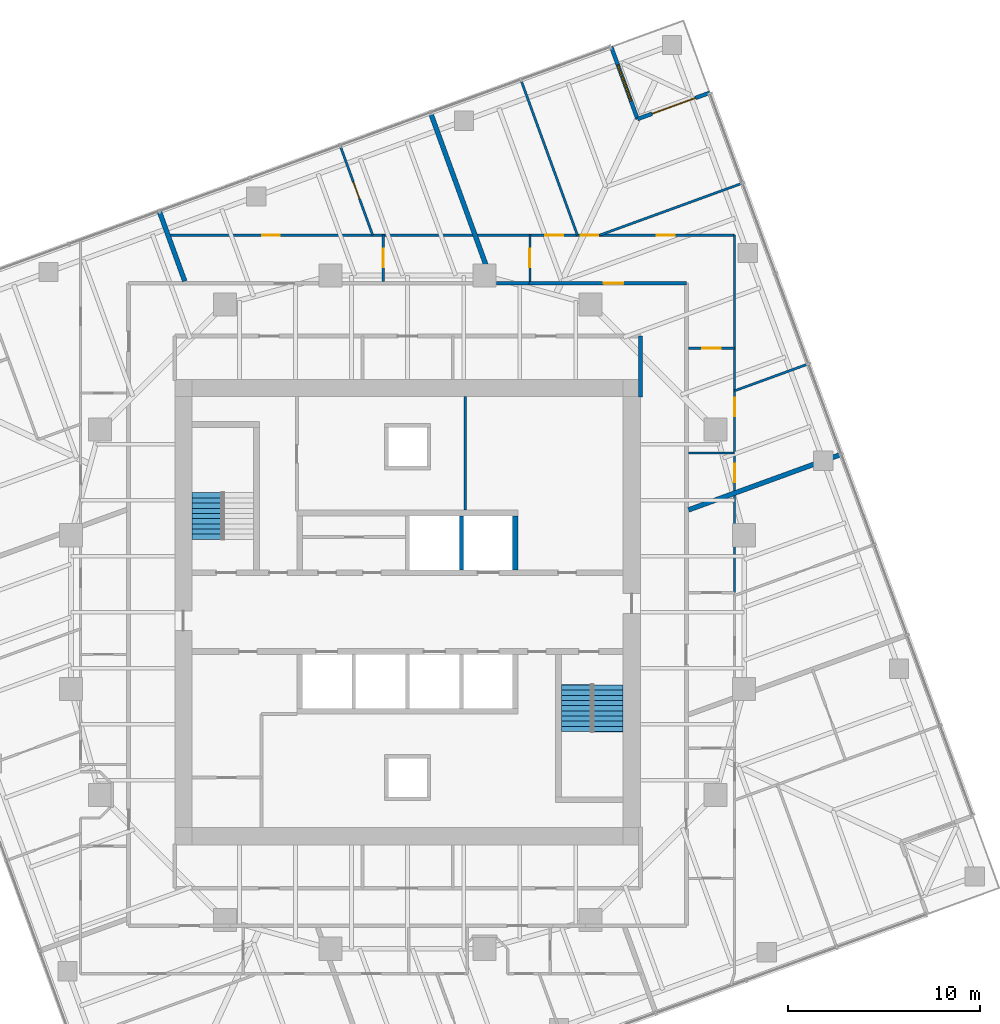
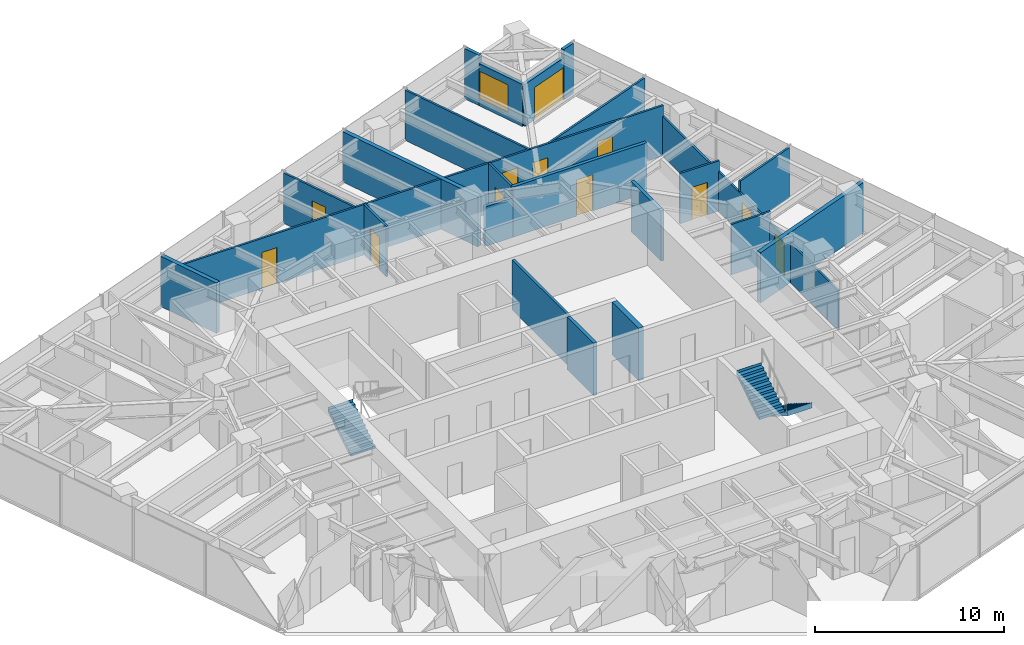
# One storey, part 11 of 13: 23 walls, 12 doors, 3 stair flights, 1 window, 13 openings, 2 elements without a shape of their own.
"""IFC4 building model written with IfcOpenShell, lengths in metres."""

import ifcopenshell
import ifcopenshell.guid

model = None  # the IFC model being written
_history = None  # IfcOwnerHistory: only IFC2X3 demands one
_inside = {}  # id of a spatial element -> (the spatial element, [elements in it])
_under = {}  # id of a project, library or spatial element -> (it, [spatial elements below it])
_declared = {}  # id of a project -> (the project, [libraries it declares])
_typed = {}  # id of a type object -> (the type object, [elements of that type])
_made_of = {}  # id of a material, layer set ... -> (it, [elements and type objects made of it])


def new_model(schema):
    """Start an empty IFC model of exactly this schema.

    Asked for "IFC4X3", IfcOpenShell would pick the latest addendum, in which some entities
    have other attributes; the version numbers below select the first issue.
    IFC2X3 requires an IfcOwnerHistory on every rooted entity: one is made here for all.
    """
    global model, _history
    if schema == "IFC4X3":
        model = ifcopenshell.file(schema_version=(4, 3, 0, 0))
    else:
        model = ifcopenshell.file(schema=schema)
    _inside.clear()
    _under.clear()
    _declared.clear()
    _typed.clear()
    _made_of.clear()
    _history = None
    if model.schema == "IFC2X3":
        org = make("IfcOrganization", Name="unknown")
        user = make(
            "IfcPersonAndOrganization",
            ThePerson=make("IfcPerson", FamilyName="unknown"),
            TheOrganization=org,
        )
        app = make(
            "IfcApplication",
            ApplicationDeveloper=org,
            Version="unknown",
            ApplicationFullName="unknown",
            ApplicationIdentifier="unknown",
        )
        _history = make(
            "IfcOwnerHistory",
            OwningUser=user,
            OwningApplication=app,
            ChangeAction="ADDED",
            CreationDate=0,
        )
    return model


def make(cls, **values):
    """One entity of the class cls with the attributes given. An attribute that is None is left unset."""
    return model.create_entity(
        cls, **{name: value for name, value in values.items() if value is not None}
    )


def rooted(cls, **values):
    """An entity with a GlobalId (a new one), such as an element, a storey or a relation."""
    return make(cls, GlobalId=ifcopenshell.guid.new(), OwnerHistory=_history, **values)


def si_unit(unit_type, name, prefix=None):
    """IfcSIUnit, for example si_unit("LENGTHUNIT", "METRE", prefix="MILLI")."""
    return make("IfcSIUnit", UnitType=unit_type, Prefix=prefix, Name=name)


def assignment(units):
    """IfcUnitAssignment: the units of a project."""
    return None if units is None else make("IfcUnitAssignment", Units=units)


def point(xyz):
    """IfcCartesianPoint."""
    return None if xyz is None else make("IfcCartesianPoint", Coordinates=xyz)


def direction(xyz):
    """IfcDirection."""
    return None if xyz is None else make("IfcDirection", DirectionRatios=xyz)


def frame(location, z_axis=None, x_axis=None):
    """IfcAxis2Placement3D, a coordinate frame: its origin and axes. An axis left out is left unset."""
    return make(
        "IfcAxis2Placement3D",
        Location=point(location),
        Axis=direction(z_axis),
        RefDirection=direction(x_axis),
    )


def frame_2d(location, x_axis=None):
    """IfcAxis2Placement2D, a coordinate frame in the plane: its origin and x axis."""
    return make(
        "IfcAxis2Placement2D", Location=point(location), RefDirection=direction(x_axis)
    )


def origin():
    """The frame at (0, 0, 0) with its axes left unset."""
    return frame((0.0, 0.0, 0.0))


def place(relative_to, where):
    """IfcLocalPlacement: puts the frame where relative to a parent placement (None: the world)."""
    return make(
        "IfcLocalPlacement", PlacementRelTo=relative_to, RelativePlacement=where
    )


def context(
    kind, dimensions, precision=None, world=None, true_north=None, identifier=None
):
    """IfcGeometricRepresentationContext, for example the 3D "Model" context."""
    return make(
        "IfcGeometricRepresentationContext",
        ContextIdentifier=identifier,
        ContextType=kind,
        CoordinateSpaceDimension=dimensions,
        Precision=precision,
        WorldCoordinateSystem=world,
        TrueNorth=true_north,
    )


def subcontext(parent, identifier, kind, view, scale=None):
    """IfcGeometricRepresentationSubContext, for example "Body" below "Model"."""
    return make(
        "IfcGeometricRepresentationSubContext",
        ContextIdentifier=identifier,
        ContextType=kind,
        ParentContext=parent,
        TargetScale=scale,
        TargetView=view,
    )


def project(units=None, contexts=None):
    """IfcProject with its units and contexts."""
    return rooted(
        "IfcProject",
        Name="project",
        RepresentationContexts=contexts,
        UnitsInContext=assignment(units),
    )


def spatial(cls, under=None, at=None, **own):
    """A site, building, storey or space (cls), placed at a placement, below another one or the project."""
    s = rooted(cls, ObjectPlacement=at, **own)
    if under is not None:
        _under.setdefault(under.id(), (under, []))[1].append(s)
    return s


def polyline(points):
    """IfcPolyline through the points."""
    return make("IfcPolyline", Points=[point(p) for p in points])


def profile(cls, at=None, kind="AREA", **sizes):
    """A parametric profile (cls). Its sizes go by their IFC names, for example OverallWidth=200.0."""
    return make(cls, ProfileType=kind, Position=at, **sizes)


def rectangle(**sizes):
    """IfcRectangleProfileDef."""
    return profile("IfcRectangleProfileDef", **sizes)


def outline(outer, holes=None, kind="AREA"):
    """IfcArbitraryClosedProfileDef: a profile drawn as a closed curve; with holes, ...WithVoids."""
    if holes is None:
        return make("IfcArbitraryClosedProfileDef", ProfileType=kind, OuterCurve=outer)
    return make(
        "IfcArbitraryProfileDefWithVoids",
        ProfileType=kind,
        OuterCurve=outer,
        InnerCurves=holes,
    )


def extrude(swept, where, along, depth):
    """IfcExtrudedAreaSolid: the profile swept, set in the frame where, extruded along a direction by depth."""
    return make(
        "IfcExtrudedAreaSolid",
        SweptArea=swept,
        Position=where,
        ExtrudedDirection=direction(along),
        Depth=depth,
    )


def shape(context_of_items, identifier, shape_type, items):
    """IfcShapeRepresentation: the items that make up one representation, for example the "Body"."""
    return make(
        "IfcShapeRepresentation",
        ContextOfItems=context_of_items,
        RepresentationIdentifier=identifier,
        RepresentationType=shape_type,
        Items=items,
    )


def material(Name=None, Category=None):
    """IfcMaterial."""
    return make("IfcMaterial", Name=Name, Category=Category)


def layer(
    of_material, thickness, ventilated=None, Name=None, Category=None, Priority=None
):
    """IfcMaterialLayer: one layer of a wall or slab, of a material (None: an air gap)."""
    return make(
        "IfcMaterialLayer",
        Material=of_material,
        LayerThickness=thickness,
        IsVentilated=ventilated,
        Name=Name,
        Category=Category,
        Priority=Priority,
    )


def layer_set(layers, Name=None):
    """IfcMaterialLayerSet."""
    return make("IfcMaterialLayerSet", MaterialLayers=layers, LayerSetName=Name)


def made_of(thing, what):
    """Note that an element or type object is made of a material, layer set ...; save() writes the relation."""
    if what is not None:
        _made_of.setdefault(what.id(), (what, []))[1].append(thing)
    return thing


def type_object(cls, material=None, **own):
    """A type object (cls), such as IfcWallType, which elements share."""
    return made_of(rooted(cls, **own), material)


def element(
    cls,
    number,
    at=None,
    inside=None,
    cuts=None,
    type_object=None,
    material=None,
    context=None,
    identifier="Body",
    shape_type=None,
    held_by="IfcProductDefinitionShape",
    body=None,
    shapes=None,
    **own,
):
    """One element of the class cls, such as IfcWall. Its Tag is "e" and its number.

    at: its placement. inside: the storey or other place that contains it. cuts: it is an
    opening in that element (IfcRelVoidsElement). A single representation is given by context,
    identifier, shape_type and body (its items); several are given by shapes. held_by: the class
    of the entity that holds the representations. save() writes the other relations.
    """
    e = rooted(cls, Tag="e%d" % number, ObjectPlacement=at, **own)
    if body is not None:
        shapes = [shape(context, identifier, shape_type, body)]
    if shapes is not None:
        e.Representation = make(held_by, Representations=shapes)
    if inside is not None:
        _inside.setdefault(inside.id(), (inside, []))[1].append(e)
    if cuts is not None:
        rooted(
            "IfcRelVoidsElement", RelatingBuildingElement=cuts, RelatedOpeningElement=e
        )
    if type_object is not None:
        _typed.setdefault(type_object.id(), (type_object, []))[1].append(e)
    return made_of(e, material)


def fill(opening, filler):
    """IfcRelFillsElement: the door or window that sits in an opening."""
    return rooted(
        "IfcRelFillsElement",
        RelatingOpeningElement=opening,
        RelatedBuildingElement=filler,
    )


def aggregate(whole, parts):
    """IfcRelAggregates: a whole, such as a stair, and the parts it consists of."""
    return rooted("IfcRelAggregates", RelatingObject=whole, RelatedObjects=parts)


def save(model, path):
    """Write the relations noted so far, then the file.

    IfcRelAggregates (storeys below a building ...), IfcRelContainedInSpatialStructure (elements
    in a storey), IfcRelDefinesByType, IfcRelAssociatesMaterial and IfcRelDeclares: one each for
    every whole, place, type object, material and project.
    """
    for whole, parts in _under.values():
        aggregate(whole, parts)
    for where, things in _inside.values():
        rooted(
            "IfcRelContainedInSpatialStructure",
            RelatedElements=things,
            RelatingStructure=where,
        )
    for kind, things in _typed.values():
        rooted("IfcRelDefinesByType", RelatedObjects=things, RelatingType=kind)
    for what, things in _made_of.values():
        rooted("IfcRelAssociatesMaterial", RelatedObjects=things, RelatingMaterial=what)
    for by, libraries in _declared.values():
        rooted("IfcRelDeclares", RelatingContext=by, RelatedDefinitions=libraries)
    model.write(path)


model = new_model("IFC4")

# Units and contexts
model_context = context("Model", 3, precision=1e-05, world=origin(), true_north=direction((0.0, 1.0)))
body_context = subcontext(model_context, "Body", "Model", "MODEL_VIEW")
ifc_project = project(units=[si_unit("LENGTHUNIT", "METRE"), si_unit("AREAUNIT", "SQUARE_METRE"), si_unit("VOLUMEUNIT", "CUBIC_METRE"), si_unit("PLANEANGLEUNIT", "RADIAN"), si_unit("MASSUNIT", "GRAM", prefix="KILO")], contexts=[model_context])

# Site, building, storey
site_placement = place(None, origin())
site = spatial("IfcSite", under=ifc_project, at=site_placement, CompositionType="ELEMENT")
building_placement = place(site_placement, origin())
building = spatial("IfcBuilding", under=site, at=building_placement, Name="Torsade Residences", CompositionType="ELEMENT")
storey_placement = place(building_placement, frame((0.0, 0.0, 154.0)))
storey = spatial("IfcBuildingStorey", under=building, at=storey_placement, Name="L42", CompositionType="ELEMENT", Elevation=154.0)

# Wall
ifc_material_1 = material(Name="Concrete 80 MPa", Category="concrete")
ifc_layer_1 = layer(ifc_material_1, 0.300048828125)
ifc_layer_set_1 = layer_set([ifc_layer_1], Name="Concrete 80 MPa")
wall_type_1 = type_object("IfcWallType", Name="CORE INTERNAL WALL 300", PredefinedType="SHEAR", material=ifc_layer_set_1)
wall_1_placement = place(storey_placement, frame((45.60009765625, 32.199951171875, 0.0), z_axis=(0.0, 0.0, 1.0), x_axis=(0.0, 1.0, 0.0)))
element("IfcWall", 1, at=wall_1_placement, inside=storey, type_object=wall_type_1, Name="Core wall DN4 L42", PredefinedType="SHEAR", context=body_context, shape_type="SweptSolid", body=[
    extrude(rectangle(XDim=2.800048828125, YDim=0.300048828125, at=frame_2d((1.39990234375, 0.0))), origin(), (0.0, 0.0, 1.0), 3.39990234375),
])

# Wall, opening, door
ifc_material_2 = material(Name="Plasterboard on steel stud", Category="steel")
ifc_layer_2 = layer(ifc_material_2, 0.199951171875)
ifc_layer_set_2 = layer_set([ifc_layer_2], Name="Plasterboard on steel stud")
wall_type_2 = type_object("IfcWallType", Name="CORRIDOR WALL 200", PredefinedType="PARTITIONING", material=ifc_layer_set_2)
wall_2_placement = place(storey_placement, frame((54.5, 47.10009765625, 0.0), z_axis=(0.0, 0.0, 1.0), x_axis=(-1.0, 0.0, 0.0)))
wall_2 = element("IfcWall", 2, at=wall_2_placement, inside=storey, type_object=wall_type_2, Name="Corridor wall L42", PredefinedType="PARTITIONING", context=body_context, shape_type="SweptSolid", body=[
    extrude(rectangle(XDim=8.191650390625, YDim=0.199951171875, at=frame_2d((4.095703125, 0.0))), origin(), (0.0, 0.0, 1.0), 3.25),
])
opening_1_placement = place(wall_2_placement, frame((3.28466796875, 0.0, 0.0)))
opening_1 = element("IfcOpeningElement", 3, at=opening_1_placement, cuts=wall_2, Name="Opening D01", PredefinedType="OPENING", context=body_context, shape_type="SweptSolid", body=[
    extrude(rectangle(XDim=1.02001953125, YDim=2.340087890625, at=frame_2d((0.510009765625, 1.169921875))), frame((0.0, 0.10986328125, 0.0), z_axis=(0.0, -1.0, 0.0), x_axis=(1.0, 0.0, 0.0)), (0.0, 0.0, 1.0), 0.219970703125),
])
ifc_material_3 = material(Name="Solid-core timber fire door", Category="wood")
door_type_1 = type_object("IfcDoorType", Name="APARTMENT ENTRY DOOR 1020x2340", OperationType="NOTDEFINED", PredefinedType="DOOR", material=ifc_material_3)
door_1_placement = place(opening_1_placement, origin())
door_1 = element("IfcDoor", 4, at=door_1_placement, inside=storey, type_object=door_type_1, Name="Door Residential corridor to Kitchen and dining", OperationType="SINGLE_SWING_RIGHT", OverallHeight=2.340087890625, OverallWidth=1.02001953125, PredefinedType="DOOR", context=body_context, shape_type="SweptSolid", body=[
    extrude(rectangle(XDim=1.02001953125, YDim=2.340087890625, at=frame_2d((0.510009765625, 1.169921875))), frame((0.0, 0.02490234375, 0.0), z_axis=(0.0, -1.0, 0.0), x_axis=(1.0, 0.0, 0.0)), (0.0, 0.0, 1.0), 0.050048828125),
])
fill(opening_1, door_1)

# Walls
wall_3_placement = place(storey_placement, frame((46.308349609375, 47.10009765625, 0.0), z_axis=(0.0, 0.0, 1.0), x_axis=(-1.0, 0.0, 0.0)))
element("IfcWall", 5, at=wall_3_placement, inside=storey, type_object=wall_type_2, Name="Corridor wall L42", PredefinedType="PARTITIONING", context=body_context, shape_type="SweptSolid", body=[
    extrude(rectangle(XDim=1.683349609375, YDim=0.199951171875, at=frame_2d((0.841796875, 0.0))), origin(), (0.0, 0.0, 1.0), 2.550048828125),
])
wall_4_placement = place(storey_placement, frame((52.10009765625, 41.179931640625, 0.0), z_axis=(0.0, 0.0, 1.0), x_axis=(0.0, 1.0, 0.0)))
element("IfcWall", 6, at=wall_4_placement, inside=storey, type_object=wall_type_2, Name="Corridor wall L42", PredefinedType="PARTITIONING", context=body_context, shape_type="SweptSolid", body=[
    extrude(rectangle(XDim=3.170166015625, YDim=0.199951171875, at=frame_2d((1.5849609375, 0.0))), origin(), (0.0, 0.0, 1.0), 3.25),
])
ifc_material_4 = material(Name="Reinforced blockwork", Category="masonry")
ifc_layer_3 = layer(ifc_material_4, 0.199951171875)
ifc_layer_set_3 = layer_set([ifc_layer_3], Name="Reinforced blockwork")
wall_type_3 = type_object("IfcWallType", Name="LIFT SHAFT DIVIDING WALL 200", PredefinedType="SOLIDWALL", material=ifc_layer_set_3)
wall_5_placement = place(storey_placement, frame((42.800048828125, 32.199951171875, 0.0), z_axis=(0.0, 0.0, 1.0), x_axis=(0.0, 1.0, 0.0)))
element("IfcWall", 7, at=wall_5_placement, inside=storey, type_object=wall_type_3, Name="Core wall DN3 L42", PredefinedType="SOLIDWALL", context=body_context, shape_type="SweptSolid", body=[
    extrude(rectangle(XDim=2.800048828125, YDim=0.199951171875, at=frame_2d((1.39990234375, 0.0))), origin(), (0.0, 0.0, 1.0), 3.39990234375),
])

# Wall, openings, doors
ifc_material_5 = material(Name="Plasterboard on steel stud", Category="steel")
ifc_layer_4 = layer(ifc_material_5, 0.1201171875)
ifc_layer_set_4 = layer_set([ifc_layer_4], Name="Plasterboard on steel stud")
wall_type_4 = type_object("IfcWallType", Name="PARTITION 120", PredefinedType="PARTITIONING", material=ifc_layer_set_4)
wall_6_placement = place(storey_placement, frame((57.0, 49.60009765625, 0.0), z_axis=(0.0, 0.0, 1.0), x_axis=(0.0, -1.0, 0.0)))
wall_6 = element("IfcWall", 8, at=wall_6_placement, inside=storey, type_object=wall_type_4, Name="Partition L42", PredefinedType="PARTITIONING", context=body_context, shape_type="SweptSolid", body=[
    extrude(rectangle(XDim=18.588623046875, YDim=0.1201171875, at=frame_2d((9.29443359375, 0.0))), origin(), (0.0, 0.0, 1.0), 2.550048828125),
])
opening_2_placement = place(wall_6_placement, frame((8.45166015625, 0.0, 0.0)))
opening_2 = element("IfcOpeningElement", 9, at=opening_2_placement, cuts=wall_6, Name="Opening D05", PredefinedType="OPENING", context=body_context, shape_type="SweptSolid", body=[
    extrude(rectangle(XDim=0.9599609375, YDim=2.10009765625, at=frame_2d((0.47998046875, 1.050048828125))), frame((0.0, 0.070068359375, 0.0), z_axis=(0.0, -1.0, 0.0), x_axis=(1.0, 0.0, 0.0)), (0.0, 0.0, 1.0), 0.14013671875),
])
opening_3_placement = place(wall_6_placement, frame((11.888671875, 0.0, 0.0)))
opening_3 = element("IfcOpeningElement", 10, at=opening_3_placement, cuts=wall_6, Name="Opening D05", PredefinedType="OPENING", context=body_context, shape_type="SweptSolid", body=[
    extrude(rectangle(XDim=0.9599609375, YDim=2.10009765625, at=frame_2d((0.47998046875, 1.050048828125))), frame((0.0, 0.070068359375, 0.0), z_axis=(0.0, -1.0, 0.0), x_axis=(1.0, 0.0, 0.0)), (0.0, 0.0, 1.0), 0.14013671875),
])
ifc_material_6 = material(Name="Hollow-core timber door in a steel cavity frame", Category="steel")
door_type_2 = type_object("IfcDoorType", Name="BATHROOM CAVITY SLIDING DOOR 960", OperationType="SLIDING_TO_LEFT", PredefinedType="DOOR", material=ifc_material_6)
door_2_placement = place(opening_2_placement, origin())
door_2 = element("IfcDoor", 11, at=door_2_placement, inside=storey, type_object=door_type_2, Name="Door Bathroom to Bedroom 3", OperationType="SLIDING_TO_LEFT", OverallHeight=2.10009765625, OverallWidth=0.9599609375, PredefinedType="DOOR", context=body_context, shape_type="SweptSolid", body=[
    extrude(rectangle(XDim=0.9599609375, YDim=2.10009765625, at=frame_2d((0.47998046875, 1.050048828125))), frame((0.0, 0.02490234375, 0.0), z_axis=(0.0, -1.0, 0.0), x_axis=(1.0, 0.0, 0.0)), (0.0, 0.0, 1.0), 0.050048828125),
])
fill(opening_2, door_2)
door_3_placement = place(opening_3_placement, origin())
door_3 = element("IfcDoor", 12, at=door_3_placement, inside=storey, type_object=door_type_2, Name="Door Bedroom 3 to Ensuite", OperationType="SLIDING_TO_LEFT", OverallHeight=2.10009765625, OverallWidth=0.9599609375, PredefinedType="DOOR", context=body_context, shape_type="SweptSolid", body=[
    extrude(rectangle(XDim=0.9599609375, YDim=2.10009765625, at=frame_2d((0.47998046875, 1.050048828125))), frame((0.0, 0.02490234375, 0.0), z_axis=(0.0, -1.0, 0.0), x_axis=(1.0, 0.0, 0.0)), (0.0, 0.0, 1.0), 0.050048828125),
])
fill(opening_3, door_3)

# Wall, opening, door
wall_7_placement = place(storey_placement, frame((57.0, 43.712158203125, 0.0), z_axis=(0.0, 0.0, 1.0), x_axis=(-1.0, 0.0, 0.0)))
wall_7 = element("IfcWall", 13, at=wall_7_placement, inside=storey, type_object=wall_type_4, Name="Partition L42", PredefinedType="PARTITIONING", context=body_context, shape_type="SweptSolid", body=[
    extrude(rectangle(XDim=2.39990234375, YDim=0.1201171875, at=frame_2d((1.199951171875, 0.0))), origin(), (0.0, 0.0, 1.0), 3.25),
])
opening_4_placement = place(wall_7_placement, frame((0.719970703125, 0.0, 0.0)))
opening_4 = element("IfcOpeningElement", 14, at=opening_4_placement, cuts=wall_7, Name="Opening D05", PredefinedType="OPENING", context=body_context, shape_type="SweptSolid", body=[
    extrude(rectangle(XDim=0.9599609375, YDim=2.10009765625, at=frame_2d((0.47998046875, 1.050048828125))), frame((0.0, 0.070068359375, 0.0), z_axis=(0.0, -1.0, 0.0), x_axis=(1.0, 0.0, 0.0)), (0.0, 0.0, 1.0), 0.14013671875),
])
door_4_placement = place(opening_4_placement, origin())
door_4 = element("IfcDoor", 15, at=door_4_placement, inside=storey, type_object=door_type_2, Name="Door Kitchen and dining to Bathroom", OperationType="SLIDING_TO_LEFT", OverallHeight=2.10009765625, OverallWidth=0.9599609375, PredefinedType="DOOR", context=body_context, shape_type="SweptSolid", body=[
    extrude(rectangle(XDim=0.9599609375, YDim=2.10009765625, at=frame_2d((0.47998046875, 1.050048828125))), frame((0.0, 0.02490234375, 0.0), z_axis=(0.0, -1.0, 0.0), x_axis=(1.0, 0.0, 0.0)), (0.0, 0.0, 1.0), 0.050048828125),
])
fill(opening_4, door_4)

wall_8_placement = place(storey_placement, frame((46.360595703125, 47.199951171875, 0.0), z_axis=(0.0, 0.0, 1.0), x_axis=(0.0, 1.0, 0.0)))
wall_8 = element("IfcWall", 16, at=wall_8_placement, inside=storey, type_object=wall_type_4, Name="Partition L42", PredefinedType="PARTITIONING", context=body_context, shape_type="SweptSolid", body=[
    extrude(rectangle(XDim=2.400146484375, YDim=0.1201171875, at=frame_2d((1.2001953125, 0.0))), origin(), (0.0, 0.0, 1.0), 3.25),
])
opening_5_placement = place(wall_8_placement, frame((0.719970703125, 0.0, 0.0)))
opening_5 = element("IfcOpeningElement", 17, at=opening_5_placement, cuts=wall_8, Name="Opening D05", PredefinedType="OPENING", context=body_context, shape_type="SweptSolid", body=[
    extrude(rectangle(XDim=0.9599609375, YDim=2.10009765625, at=frame_2d((0.47998046875, 1.050048828125))), frame((0.0, 0.070068359375, 0.0), z_axis=(0.0, -1.0, 0.0), x_axis=(1.0, 0.0, 0.0)), (0.0, 0.0, 1.0), 0.14013671875),
])
door_5_placement = place(opening_5_placement, origin())
door_5 = element("IfcDoor", 18, at=door_5_placement, inside=storey, type_object=door_type_2, Name="Door Kitchen and dining to Laundry", OperationType="SLIDING_TO_LEFT", OverallHeight=2.10009765625, OverallWidth=0.9599609375, PredefinedType="DOOR", context=body_context, shape_type="SweptSolid", body=[
    extrude(rectangle(XDim=0.9599609375, YDim=2.10009765625, at=frame_2d((0.47998046875, 1.050048828125))), frame((0.0, 0.02490234375, 0.0), z_axis=(0.0, -1.0, 0.0), x_axis=(1.0, 0.0, 0.0)), (0.0, 0.0, 1.0), 0.050048828125),
])
fill(opening_5, door_5)

# Wall, openings, doors
wall_9_placement = place(storey_placement, frame((27.54541015625, 49.60009765625, 0.0), z_axis=(0.0, 0.0, 1.0), x_axis=(1.0, 0.0, 0.0)))
wall_9 = element("IfcWall", 19, at=wall_9_placement, inside=storey, type_object=wall_type_4, Name="Partition L42", PredefinedType="PARTITIONING", context=body_context, shape_type="SweptSolid", body=[
    extrude(rectangle(XDim=29.45458984375, YDim=0.1201171875, at=frame_2d((14.727294921875, 0.0))), origin(), (0.0, 0.0, 1.0), 3.25),
])
opening_6_placement = place(wall_9_placement, frame((4.887451171875, 0.0, 0.0)))
opening_6 = element("IfcOpeningElement", 20, at=opening_6_placement, cuts=wall_9, Name="Opening D02", PredefinedType="OPENING", context=body_context, shape_type="SweptSolid", body=[
    extrude(rectangle(XDim=0.919921875, YDim=2.340087890625, at=frame_2d((0.4599609375, 1.169921875))), frame((0.0, 0.070068359375, 0.0), z_axis=(0.0, -1.0, 0.0), x_axis=(1.0, 0.0, 0.0)), (0.0, 0.0, 1.0), 0.14013671875),
])
opening_7_placement = place(wall_9_placement, frame((25.418212890625, 0.0, 0.0)))
opening_7 = element("IfcOpeningElement", 21, at=opening_7_placement, cuts=wall_9, Name="Opening D02", PredefinedType="OPENING", context=body_context, shape_type="SweptSolid", body=[
    extrude(rectangle(XDim=0.919921875, YDim=2.340087890625, at=frame_2d((0.4599609375, 1.169921875))), frame((0.0, 0.070068359375, 0.0), z_axis=(0.0, -1.0, 0.0), x_axis=(1.0, 0.0, 0.0)), (0.0, 0.0, 1.0), 0.14013671875),
])
opening_8_placement = place(wall_9_placement, frame((19.615966796875, 0.0, 0.0)))
opening_8 = element("IfcOpeningElement", 22, at=opening_8_placement, cuts=wall_9, Name="Opening D02", PredefinedType="OPENING", context=body_context, shape_type="SweptSolid", body=[
    extrude(rectangle(XDim=0.919921875, YDim=2.340087890625, at=frame_2d((0.4599609375, 1.169921875))), frame((0.0, 0.070068359375, 0.0), z_axis=(0.0, -1.0, 0.0), x_axis=(1.0, 0.0, 0.0)), (0.0, 0.0, 1.0), 0.14013671875),
])
opening_9_placement = place(wall_9_placement, frame((21.452392578125, 0.0, 0.0)))
opening_9 = element("IfcOpeningElement", 23, at=opening_9_placement, cuts=wall_9, Name="Opening D02", PredefinedType="OPENING", context=body_context, shape_type="SweptSolid", body=[
    extrude(rectangle(XDim=0.919921875, YDim=2.340087890625, at=frame_2d((0.4599609375, 1.169921875))), frame((0.0, 0.070068359375, 0.0), z_axis=(0.0, -1.0, 0.0), x_axis=(1.0, 0.0, 0.0)), (0.0, 0.0, 1.0), 0.14013671875),
])
ifc_material_7 = material(Name="Hollow-core timber door", Category="wood")
door_type_3 = type_object("IfcDoorType", Name="INTERNAL DOOR 920x2340", OperationType="NOTDEFINED", PredefinedType="DOOR", material=ifc_material_7)
door_6_placement = place(opening_6_placement, origin())
door_6 = element("IfcDoor", 24, at=door_6_placement, inside=storey, type_object=door_type_3, Name="Door Kitchen and dining to Living room", OperationType="SINGLE_SWING_LEFT", OverallHeight=2.340087890625, OverallWidth=0.919921875, PredefinedType="DOOR", context=body_context, shape_type="SweptSolid", body=[
    extrude(rectangle(XDim=0.919921875, YDim=2.340087890625, at=frame_2d((0.4599609375, 1.169921875))), frame((0.0, 0.02490234375, 0.0), z_axis=(0.0, -1.0, 0.0), x_axis=(1.0, 0.0, 0.0)), (0.0, 0.0, 1.0), 0.050048828125),
])
fill(opening_6, door_6)
door_7_placement = place(opening_7_placement, origin())
door_7 = element("IfcDoor", 25, at=door_7_placement, inside=storey, type_object=door_type_3, Name="Door Kitchen and dining to Bedroom 2", OperationType="SINGLE_SWING_LEFT", OverallHeight=2.340087890625, OverallWidth=0.919921875, PredefinedType="DOOR", context=body_context, shape_type="SweptSolid", body=[
    extrude(rectangle(XDim=0.919921875, YDim=2.340087890625, at=frame_2d((0.4599609375, 1.169921875))), frame((0.0, 0.02490234375, 0.0), z_axis=(0.0, -1.0, 0.0), x_axis=(1.0, 0.0, 0.0)), (0.0, 0.0, 1.0), 0.050048828125),
])
fill(opening_7, door_7)
door_8_placement = place(opening_8_placement, origin())
door_8 = element("IfcDoor", 26, at=door_8_placement, inside=storey, type_object=door_type_3, Name="Door Kitchen and dining to Bedroom 1", OperationType="SINGLE_SWING_RIGHT", OverallHeight=2.340087890625, OverallWidth=0.919921875, PredefinedType="DOOR", context=body_context, shape_type="SweptSolid", body=[
    extrude(rectangle(XDim=0.919921875, YDim=2.340087890625, at=frame_2d((0.4599609375, 1.169921875))), frame((0.0, 0.02490234375, 0.0), z_axis=(0.0, -1.0, 0.0), x_axis=(1.0, 0.0, 0.0)), (0.0, 0.0, 1.0), 0.050048828125),
])
fill(opening_8, door_8)
door_9_placement = place(opening_9_placement, origin())
door_9 = element("IfcDoor", 27, at=door_9_placement, inside=storey, type_object=door_type_3, Name="Door Kitchen and dining to Living room", OperationType="SINGLE_SWING_LEFT", OverallHeight=2.340087890625, OverallWidth=0.919921875, PredefinedType="DOOR", context=body_context, shape_type="SweptSolid", body=[
    extrude(rectangle(XDim=0.919921875, YDim=2.340087890625, at=frame_2d((0.4599609375, 1.169921875))), frame((0.0, 0.02490234375, 0.0), z_axis=(0.0, -1.0, 0.0), x_axis=(1.0, 0.0, 0.0)), (0.0, 0.0, 1.0), 0.050048828125),
])
fill(opening_9, door_9)

# Walls
wall_10_placement = place(storey_placement, frame((57.0, 38.27490234375, 0.0), z_axis=(0.0, 0.0, 1.0), x_axis=(-1.0, 0.0, 0.0)))
element("IfcWall", 28, at=wall_10_placement, inside=storey, type_object=wall_type_4, Name="Partition L42", PredefinedType="PARTITIONING", context=body_context, shape_type="SweptSolid", body=[
    extrude(rectangle(XDim=2.39990234375, YDim=0.1201171875, at=frame_2d((1.199951171875, 0.0))), origin(), (0.0, 0.0, 1.0), 3.25),
])
wall_11_placement = place(storey_placement, frame((48.828857421875, 49.60009765625, 0.0), z_axis=(0.0, 0.0, 1.0), x_axis=(-0.34202238111, 0.939691806296, 0.0)))
element("IfcWall", 29, at=wall_11_placement, inside=storey, type_object=wall_type_4, Name="Partition L42", PredefinedType="PARTITIONING", context=body_context, shape_type="SweptSolid", body=[
    extrude(rectangle(XDim=8.5615234375, YDim=0.1201171875, at=frame_2d((4.28076171875, 0.0))), origin(), (0.0, 0.0, 1.0), 3.25),
])
wall_12_placement = place(storey_placement, frame((57.384765625, 52.290283203125, 0.0), z_axis=(0.0, 0.0, 1.0), x_axis=(-0.939694604347, -0.342014693486, 0.0)))
element("IfcWall", 30, at=wall_12_placement, inside=storey, type_object=wall_type_4, Name="Partition L42", PredefinedType="PARTITIONING", context=body_context, shape_type="SweptSolid", body=[
    extrude(rectangle(XDim=7.86572265625, YDim=0.1201171875, at=frame_2d((3.932861328125, 0.0))), origin(), (0.0, 0.0, 1.0), 3.25),
])
wall_13_placement = place(storey_placement, frame((60.804931640625, 42.893310546875, 0.0), z_axis=(0.0, 0.0, 1.0), x_axis=(-0.939682468191, -0.342048036063, 0.0)))
element("IfcWall", 31, at=wall_13_placement, inside=storey, type_object=wall_type_4, Name="Partition L42", PredefinedType="PARTITIONING", context=body_context, shape_type="SweptSolid", body=[
    extrude(rectangle(XDim=4.049072265625, YDim=0.1201171875, at=frame_2d((2.0244140625, 0.0))), origin(), (0.0, 0.0, 1.0), 3.25),
])

# Wall, opening, door
wall_14_placement = place(storey_placement, frame((38.7412109375, 49.60009765625, 0.0), z_axis=(0.0, 0.0, 1.0), x_axis=(0.0, -1.0, 0.0)))
wall_14 = element("IfcWall", 32, at=wall_14_placement, inside=storey, type_object=wall_type_4, Name="Partition L42", PredefinedType="PARTITIONING", context=body_context, shape_type="SweptSolid", body=[
    extrude(rectangle(XDim=2.400146484375, YDim=0.1201171875, at=frame_2d((1.2001953125, 0.0))), origin(), (0.0, 0.0, 1.0), 3.25),
])
opening_10_placement = place(wall_14_placement, frame((0.719970703125, 0.0, 0.0)))
opening_10 = element("IfcOpeningElement", 33, at=opening_10_placement, cuts=wall_14, Name="Opening D05", PredefinedType="OPENING", context=body_context, shape_type="SweptSolid", body=[
    extrude(rectangle(XDim=0.9599609375, YDim=2.10009765625, at=frame_2d((0.47998046875, 1.050048828125))), frame((0.0, 0.070068359375, 0.0), z_axis=(0.0, -1.0, 0.0), x_axis=(1.0, 0.0, 0.0)), (0.0, 0.0, 1.0), 0.14013671875),
])
door_10_placement = place(opening_10_placement, origin())
door_10 = element("IfcDoor", 34, at=door_10_placement, inside=storey, type_object=door_type_2, Name="Door Kitchen and dining to Bathroom", OperationType="SLIDING_TO_LEFT", OverallHeight=2.10009765625, OverallWidth=0.9599609375, PredefinedType="DOOR", context=body_context, shape_type="SweptSolid", body=[
    extrude(rectangle(XDim=0.9599609375, YDim=2.10009765625, at=frame_2d((0.47998046875, 1.050048828125))), frame((0.0, 0.02490234375, 0.0), z_axis=(0.0, -1.0, 0.0), x_axis=(1.0, 0.0, 0.0)), (0.0, 0.0, 1.0), 0.050048828125),
])
fill(opening_10, door_10)

wall_15_placement = place(storey_placement, frame((36.503662109375, 54.22509765625, 0.0), z_axis=(0.0, 0.0, 1.0), x_axis=(0.342017860496, -0.939693451665, 0.0)))
wall_15 = element("IfcWall", 35, at=wall_15_placement, inside=storey, type_object=wall_type_4, Name="Partition L42", PredefinedType="PARTITIONING", context=body_context, shape_type="SweptSolid", body=[
    extrude(rectangle(XDim=4.921875, YDim=0.1201171875, at=frame_2d((2.4609375, 0.0))), origin(), (0.0, 0.0, 1.0), 3.25),
])
opening_11_placement = place(wall_15_placement, frame((1.98095703125, 0.0, 0.0)))
opening_11 = element("IfcOpeningElement", 36, at=opening_11_placement, cuts=wall_15, Name="Opening D02", PredefinedType="OPENING", context=body_context, shape_type="SweptSolid", body=[
    extrude(rectangle(XDim=0.919921875, YDim=2.340087890625, at=frame_2d((0.4599609375, 1.169921875))), frame((0.0, 0.070068359375, 0.0), z_axis=(0.0, -1.0, 0.0), x_axis=(1.0, 0.0, 0.0)), (0.0, 0.0, 1.0), 0.14013671875),
])
door_11_placement = place(opening_11_placement, origin())
door_11 = element("IfcDoor", 37, at=door_11_placement, inside=storey, type_object=door_type_3, Name="Door Living room to Bedroom 1", OperationType="SINGLE_SWING_RIGHT", OverallHeight=2.340087890625, OverallWidth=0.919921875, PredefinedType="DOOR", context=body_context, shape_type="SweptSolid", body=[
    extrude(rectangle(XDim=0.919921875, YDim=2.340087890625, at=frame_2d((0.4599609375, 1.169921875))), frame((0.0, 0.02490234375, 0.0), z_axis=(0.0, -1.0, 0.0), x_axis=(1.0, 0.0, 0.0)), (0.0, 0.0, 1.0), 0.050048828125),
])
fill(opening_11, door_11)

# Walls
ifc_material_8 = material(Name="Masonry-lined stud party wall", Category="masonry")
ifc_layer_5 = layer(ifc_material_8, 0.25)
ifc_layer_set_5 = layer_set([ifc_layer_5], Name="Masonry-lined stud party wall")
wall_type_5 = type_object("IfcWallType", Name="PARTY WALL 250", PredefinedType="PARTITIONING", material=ifc_layer_set_5)
wall_16_placement = place(storey_placement, frame((62.552734375, 38.20849609375, 0.0), z_axis=(0.0, 0.0, 1.0), x_axis=(-0.939695617736, -0.342011909161, 0.0)))
element("IfcWall", 38, at=wall_16_placement, inside=storey, type_object=wall_type_5, Name="Party wall L42", PredefinedType="PARTITIONING", context=body_context, shape_type="SweptSolid", body=[
    extrude(rectangle(XDim=8.45751953125, YDim=0.25, at=frame_2d((4.228759765625, 0.0))), origin(), (0.0, 0.0, 1.0), 3.25),
])
wall_17_placement = place(storey_placement, frame((41.1884765625, 55.972900390625, 0.0), z_axis=(0.0, 0.0, 1.0), x_axis=(0.342014066156, -0.939694832673, 0.0)))
element("IfcWall", 39, at=wall_17_placement, inside=storey, type_object=wall_type_5, Name="Party wall L42", PredefinedType="PARTITIONING", context=body_context, shape_type="SweptSolid", body=[
    extrude(rectangle(XDim=9.33056640625, YDim=0.25, at=frame_2d((4.665283203125, 0.0))), origin(), (0.0, 0.0, 1.0), 3.25),
])
wall_18_placement = place(storey_placement, frame((27.093017578125, 50.842529296875, 0.0), z_axis=(0.0, 0.0, 1.0), x_axis=(0.342031698406, -0.939688415, 0.0)))
element("IfcWall", 40, at=wall_18_placement, inside=storey, type_object=wall_type_5, Name="Party wall L42", PredefinedType="PARTITIONING", context=body_context, shape_type="SweptSolid", body=[
    extrude(rectangle(XDim=3.870849609375, YDim=0.25, at=frame_2d((1.935546875, 0.0))), origin(), (0.0, 0.0, 1.0), 3.25),
])
ifc_material_9 = material(Name="Reinforced blockwork", Category="masonry")
ifc_layer_6 = layer(ifc_material_9, 0.14990234375)
ifc_layer_set_6 = layer_set([ifc_layer_6], Name="Reinforced blockwork")
wall_type_6 = type_object("IfcWallType", Name="SERVICE ROOM WALL 150", PredefinedType="SOLIDWALL", material=ifc_layer_set_6)
wall_19_placement = place(storey_placement, frame((43.0, 41.199951171875, 0.0), z_axis=(0.0, 0.0, 1.0), x_axis=(0.0, -1.0, 0.0)))
element("IfcWall", 41, at=wall_19_placement, inside=storey, type_object=wall_type_6, Name="Service room wall L42", PredefinedType="SOLIDWALL", context=body_context, shape_type="SweptSolid", body=[
    extrude(rectangle(XDim=5.89990234375, YDim=0.14990234375, at=frame_2d((2.949951171875, 0.0))), origin(), (0.0, 0.0, 1.0), 3.25),
])
ifc_material_10 = material(Name="Stone-faced precast concrete 40 MPa panel", Category="masonry")
ifc_layer_7 = layer(ifc_material_10, 0.199951171875)
ifc_layer_set_7 = layer_set([ifc_layer_7], Name="Stone-faced precast concrete 40 MPa panel")
wall_type_7 = type_object("IfcWallType", Name="TERRACE WALL 200", PredefinedType="SOLIDWALL", material=ifc_layer_set_7)
wall_20_placement = place(storey_placement, frame((55.712158203125, 57.00244140625, 0.0), z_axis=(0.0, 0.0, 1.0), x_axis=(-0.939659694648, -0.342110593602, 0.0)))
element("IfcWall", 42, at=wall_20_placement, inside=storey, type_object=wall_type_7, Name="Terrace wall L42 5", PredefinedType="SOLIDWALL", context=body_context, shape_type="SweptSolid", body=[
    extrude(rectangle(XDim=0.800048828125, YDim=0.199951171875, at=frame_2d((0.39990234375, 0.0))), origin(), (0.0, 0.0, 1.0), 3.25),
])

# Wall, opening, door
wall_21_placement = place(storey_placement, frame((54.96044921875, 56.728759765625, 0.0), z_axis=(0.0, 0.0, 1.0), x_axis=(-0.939693144909, -0.342018703306, 0.0)))
wall_21 = element("IfcWall", 43, at=wall_21_placement, inside=storey, type_object=wall_type_7, Name="Terrace wall L42 5", PredefinedType="SOLIDWALL", context=body_context, shape_type="SweptSolid", body=[
    extrude(rectangle(XDim=3.199951171875, YDim=0.199951171875, at=frame_2d((1.60009765625, 0.0))), origin(), (0.0, 0.0, 1.0), 2.720947265625),
])
opening_12_placement = place(wall_21_placement, origin())
opening_12 = element("IfcOpeningElement", 44, at=opening_12_placement, cuts=wall_21, Name="Opening D10A", PredefinedType="OPENING", context=body_context, shape_type="SweptSolid", body=[
    extrude(rectangle(XDim=2.39990234375, YDim=2.10009765625, at=frame_2d((1.199951171875, 1.050048828125))), frame((0.0, 0.10986328125, 0.0), z_axis=(0.0, -1.0, 0.0), x_axis=(1.0, 0.0, 0.0)), (0.0, 0.0, 1.0), 0.219970703125),
])
ifc_material_11 = material(Name="Aluminium-framed glass door", Category="aluminium")
door_type_4 = type_object("IfcDoorType", Name="TERRACE SLIDING DOOR 2400x2100", OperationType="SLIDING_TO_LEFT", PredefinedType="DOOR", material=ifc_material_11)
door_12_placement = place(opening_12_placement, origin())
door_12 = element("IfcDoor", 45, at=door_12_placement, inside=storey, type_object=door_type_4, Name="Terrace door L42 5", OperationType="SLIDING_TO_LEFT", OverallHeight=2.10009765625, OverallWidth=2.39990234375, PredefinedType="DOOR", context=body_context, shape_type="SweptSolid", body=[
    extrude(rectangle(XDim=2.39990234375, YDim=2.10009765625, at=frame_2d((1.199951171875, 1.050048828125))), frame((0.0, 0.02490234375, 0.0), z_axis=(0.0, -1.0, 0.0), x_axis=(1.0, 0.0, 0.0)), (0.0, 0.0, 1.0), 0.050048828125),
])
fill(opening_12, door_12)

# Wall, opening, window
wall_22_placement = place(storey_placement, frame((51.953369140625, 55.63427734375, 0.0), z_axis=(0.0, 0.0, 1.0), x_axis=(-0.341965219194, 0.939712609717, 0.0)))
wall_22 = element("IfcWall", 46, at=wall_22_placement, inside=storey, type_object=wall_type_7, Name="Terrace wall L42 6", PredefinedType="SOLIDWALL", context=body_context, shape_type="SweptSolid", body=[
    extrude(rectangle(XDim=3.0, YDim=0.199951171875, at=frame_2d((1.5, 0.0))), origin(), (0.0, 0.0, 1.0), 2.720947265625),
])
opening_13_placement = place(wall_22_placement, frame((1.0, 0.0, 0.449951171875)))
opening_13 = element("IfcOpeningElement", 47, at=opening_13_placement, cuts=wall_22, Name="Opening W1B", PredefinedType="OPENING", context=body_context, shape_type="SweptSolid", body=[
    extrude(rectangle(XDim=2.0, YDim=1.800048828125, at=frame_2d((1.0, 0.89990234375))), frame((0.0, 0.10986328125, 0.0), z_axis=(0.0, -1.0, 0.0), x_axis=(1.0, 0.0, 0.0)), (0.0, 0.0, 1.0), 0.219970703125),
])
ifc_material_12 = material(Name="Aluminium-framed glass window", Category="aluminium")
window_type = type_object("IfcWindowType", Name="TERRACE WINDOW 2000x1800", PartitioningType="SINGLE_PANEL", PredefinedType="WINDOW", material=ifc_material_12)
window_placement = place(opening_13_placement, origin())
window = element("IfcWindow", 48, at=window_placement, inside=storey, type_object=window_type, Name="Terrace window L42 6", OverallHeight=1.800048828125, OverallWidth=2.0, PartitioningType="SINGLE_PANEL", PredefinedType="WINDOW", context=body_context, shape_type="SweptSolid", body=[
    extrude(rectangle(XDim=2.0, YDim=1.800048828125, at=frame_2d((1.0, 0.89990234375))), frame((0.0, 0.030029296875, 0.0), z_axis=(0.0, -1.0, 0.0), x_axis=(1.0, 0.0, 0.0)), (0.0, 0.0, 1.0), 0.06005859375),
])
fill(opening_13, window)

# Wall
wall_23_placement = place(storey_placement, frame((50.927490234375, 58.453369140625, 0.0), z_axis=(0.0, 0.0, 1.0), x_axis=(-0.342037080957, 0.939686455819, 0.0)))
element("IfcWall", 49, at=wall_23_placement, inside=storey, type_object=wall_type_7, Name="Terrace wall L42 6", PredefinedType="SOLIDWALL", context=body_context, shape_type="SweptSolid", body=[
    extrude(rectangle(XDim=1.0, YDim=0.199951171875, at=frame_2d((0.5, 0.0))), origin(), (0.0, 0.0, 1.0), 3.25),
])

# Stair, stair flight
ifc_material_13 = material(Name="Precast concrete 40 MPa", Category="concrete")
stair_type = type_object("IfcStairType", Name="HALF-TURN FIRE STAIR 1500x3400", PredefinedType="HALF_TURN_STAIR", material=ifc_material_13)
stair_1_placement = place(storey_placement, origin())
stair_1 = element("IfcStair", 50, at=stair_1_placement, inside=storey, type_object=stair_type, Name="Stair ST1 L42", PredefinedType="HALF_TURN_STAIR")
ifc_material_14 = material(Name="Precast concrete 40 MPa", Category="concrete")
stair_flight_type = type_object("IfcStairFlightType", Name="PRECAST STAIR FLIGHT 1500x1700", PredefinedType="STRAIGHT", material=ifc_material_14)
stair_flight_1_placement = place(storey_placement, frame((29.550048828125, 33.780029296875, 0.0), z_axis=(0.0, 0.0, 1.0), x_axis=(0.0, 1.0, 0.0)))
stair_flight_1 = element("IfcStairFlight", 51, at=stair_flight_1_placement, type_object=stair_flight_type, Name="ST1 flight 1", NumberOfRisers=10, NumberOfTreads=9, PredefinedType="STRAIGHT", RiserHeight=0.17, TreadLength=0.27, context=body_context, shape_type="SweptSolid", body=[
    extrude(outline(polyline([(0.0, 0.0), (0.0, 0.169921875), (0.27001953125, 0.169921875), (0.27001953125, 0.340087890625), (0.5400390625, 0.340087890625), (0.5400390625, 0.510009765625), (0.81005859375, 0.510009765625), (0.81005859375, 0.679931640625), (1.080078125, 0.679931640625), (1.080078125, 0.85009765625), (1.35009765625, 0.85009765625), (1.35009765625, 1.02001953125), (1.6201171875, 1.02001953125), (1.6201171875, 1.18994140625), (1.889892578125, 1.18994140625), (1.889892578125, 1.360107421875), (2.159912109375, 1.360107421875), (2.159912109375, 1.530029296875), (2.429931640625, 1.530029296875), (2.429931640625, 1.699951171875), (2.43994140625, 1.699951171875), (2.43994140625, 1.352783203125), (2.429931640625, 1.352783203125), (0.28125, 0.0), (0.0, 0.0)])), frame((0.0, 0.75, 0.0), z_axis=(0.0, -1.0, 0.0), x_axis=(1.0, 0.0, 0.0)), (0.0, 0.0, 1.0), 1.5),
])
aggregate(stair_1, [stair_flight_1])

# Stair, stair flights
stair_2_placement = place(storey_placement, origin())
stair_2 = element("IfcStair", 52, at=stair_2_placement, inside=storey, type_object=stair_type, Name="Stair ST2 L42", PredefinedType="HALF_TURN_STAIR")
stair_flight_2_placement = place(storey_placement, frame((50.449951171875, 26.219970703125, 0.0), z_axis=(0.0, 0.0, 1.0), x_axis=(0.0, -1.0, 0.0)))
stair_flight_2 = element("IfcStairFlight", 53, at=stair_flight_2_placement, type_object=stair_flight_type, Name="ST2 flight 1", NumberOfRisers=10, NumberOfTreads=9, PredefinedType="STRAIGHT", RiserHeight=0.17, TreadLength=0.27, context=body_context, shape_type="SweptSolid", body=[
    extrude(outline(polyline([(0.0, 0.0), (0.0, 0.169921875), (0.27001953125, 0.169921875), (0.27001953125, 0.340087890625), (0.5400390625, 0.340087890625), (0.5400390625, 0.510009765625), (0.81005859375, 0.510009765625), (0.81005859375, 0.679931640625), (1.080078125, 0.679931640625), (1.080078125, 0.85009765625), (1.35009765625, 0.85009765625), (1.35009765625, 1.02001953125), (1.6201171875, 1.02001953125), (1.6201171875, 1.18994140625), (1.889892578125, 1.18994140625), (1.889892578125, 1.360107421875), (2.159912109375, 1.360107421875), (2.159912109375, 1.530029296875), (2.429931640625, 1.530029296875), (2.429931640625, 1.699951171875), (2.43994140625, 1.699951171875), (2.43994140625, 1.352783203125), (2.429931640625, 1.352783203125), (0.28125, 0.0), (0.0, 0.0)])), frame((0.0, 0.75, 0.0), z_axis=(0.0, -1.0, 0.0), x_axis=(1.0, 0.0, 0.0)), (0.0, 0.0, 1.0), 1.5),
])
stair_flight_3_placement = place(storey_placement, frame((48.75, 23.7900390625, 1.699951171875), z_axis=(0.0, 0.0, 1.0), x_axis=(0.0, 1.0, 0.0)))
stair_flight_3 = element("IfcStairFlight", 54, at=stair_flight_3_placement, type_object=stair_flight_type, Name="ST2 flight 2", NumberOfRisers=10, NumberOfTreads=9, PredefinedType="STRAIGHT", RiserHeight=0.17, TreadLength=0.27, context=body_context, shape_type="SweptSolid", body=[
    extrude(outline(polyline([(0.0, 0.0), (0.0, 0.169921875), (0.27001953125, 0.169921875), (0.27001953125, 0.340087890625), (0.5400390625, 0.340087890625), (0.5400390625, 0.510009765625), (0.81005859375, 0.510009765625), (0.81005859375, 0.679931640625), (1.080078125, 0.679931640625), (1.080078125, 0.85009765625), (1.35009765625, 0.85009765625), (1.35009765625, 1.02001953125), (1.6201171875, 1.02001953125), (1.6201171875, 1.18994140625), (1.889892578125, 1.18994140625), (1.889892578125, 1.360107421875), (2.159912109375, 1.360107421875), (2.159912109375, 1.530029296875), (2.429931640625, 1.530029296875), (2.429931640625, 1.699951171875), (2.43994140625, 1.699951171875), (2.43994140625, 1.352783203125), (2.429931640625, 1.352783203125), (0.28125, 0.0), (0.0, 0.0)])), frame((0.0, 0.75, 0.0), z_axis=(0.0, -1.0, 0.0), x_axis=(1.0, 0.0, 0.0)), (0.0, 0.0, 1.0), 1.5),
])
aggregate(stair_2, [stair_flight_2, stair_flight_3])

save(model, "model.ifc")
